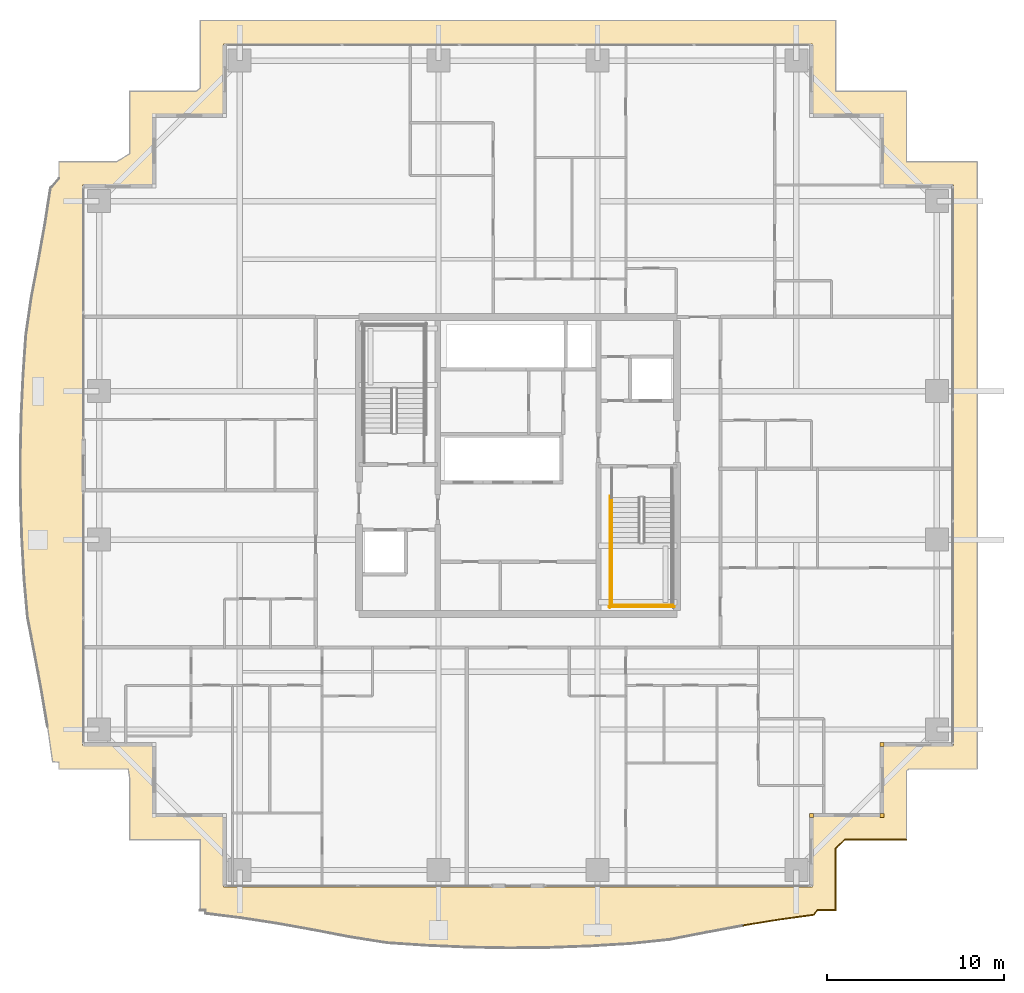
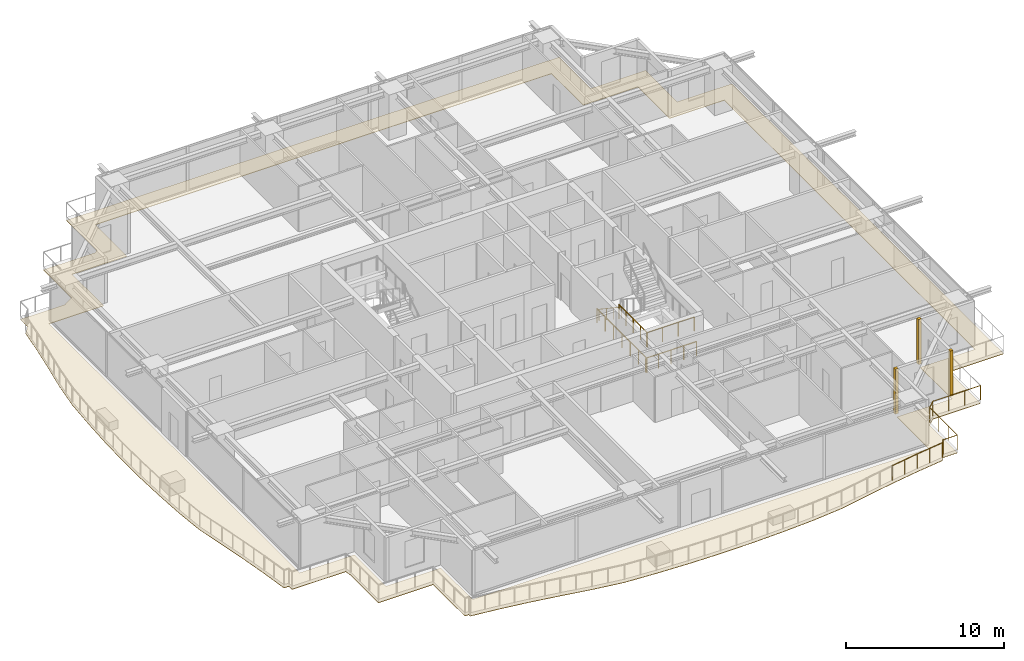
# One storey, part 32 of 34: 6 railings, 4 coverings.
"""IFC4 building model written with IfcOpenShell, lengths in metres."""

from ifc_helpers import new_model, si_unit, direction, frame, origin, origin_2d, place, context, subcontext, project, spatial, polyline, rectangle, circle, outline, extrude, source, transform, mapped, material, layer, layer_set, type_object, element, save


model = new_model("IFC4")

# Units and contexts
model_context = context("Model", 3, precision=1e-05, world=origin(), true_north=direction((0.0, 1.0)))
body_context = subcontext(model_context, "Body", "Model", "MODEL_VIEW")
ifc_project = project(units=[si_unit("LENGTHUNIT", "METRE"), si_unit("AREAUNIT", "SQUARE_METRE"), si_unit("VOLUMEUNIT", "CUBIC_METRE"), si_unit("PLANEANGLEUNIT", "RADIAN"), si_unit("MASSUNIT", "GRAM", prefix="KILO")], contexts=[model_context])

# Site, building, storey
site_placement = place(None, origin())
site = spatial("IfcSite", under=ifc_project, at=site_placement, CompositionType="ELEMENT")
building_placement = place(site_placement, origin())
building = spatial("IfcBuilding", under=site, at=building_placement, Name="Serunith Strait Residences", CompositionType="ELEMENT")
storey_placement = place(building_placement, frame((0.0, 0.0, 142.64990234375)))
storey = spatial("IfcBuildingStorey", under=building, at=storey_placement, Name="L35", CompositionType="ELEMENT", Elevation=142.64990234375)

# Covering
ifc_material_1 = material(Name="Golden Teak Exterior Timber Boarding", Category="wood")
ifc_layer_1 = layer(ifc_material_1, 0.034912109375, Name="Golden Teak Exterior Timber Boarding")
ifc_layer_set_1 = layer_set([ifc_layer_1], Name="Golden Teak Exterior Timber Boarding")
covering_type_1 = type_object("IfcCoveringType", Name="COV-TEAK-SOFFIT", PredefinedType="CEILING", material=ifc_layer_set_1)
covering_placement = place(storey_placement, frame((0.0, 0.0, -0.324951171875)))
element("IfcCovering", 1, at=covering_placement, inside=storey, type_object=covering_type_1, Name="L35 Golden-Teak Balcony Soffit Lining", PredefinedType="CEILING", context=body_context, shape_type="SweptSolid", body=[
    extrude(outline(polyline([(14.419921875, 0.02001953125), (14.419921875, 4.02001953125), (10.419921875, 4.02001953125), (10.419921875, 7.514404296875), (10.343994140625, 8.02001953125), (6.419921875, 8.02001953125), (6.419921875, 8.406494140625), (6.062744140625, 8.427001953125), (5.77734375, 10.427734375), (5.43701171875, 12.44921875), (5.05126953125, 14.5087890625), (4.64501953125, 16.625244140625), (4.44873046875, 18.85595703125), (4.323486328125, 21.12939453125), (4.252197265625, 23.426513671875), (4.2412109375, 25.734130859375), (4.2919921875, 28.03759765625), (4.399169921875, 30.322021484375), (4.552978515625, 32.576904296875), (4.867919921875, 34.75048828125), (5.26806640625, 36.8359375), (5.632080078125, 38.8740234375), (5.944091796875, 40.883544921875), (6.419921875, 41.4404296875), (6.419921875, 42.3798828125), (9.6748046875, 42.3798828125), (10.419921875, 42.8251953125), (10.419921875, 46.3798828125), (14.1982421875, 46.3798828125), (14.419921875, 46.55908203125), (14.419921875, 50.3798828125), (50.3798828125, 50.3798828125), (50.3798828125, 46.3798828125), (54.3798828125, 46.3798828125), (54.3798828125, 42.3798828125), (58.3798828125, 42.3798828125), (58.3798828125, 8.02001953125), (54.51513671875, 8.02001953125), (54.3798828125, 7.921875), (54.3798828125, 4.02001953125), (50.8994140625, 4.02001953125), (50.3798828125, 3.522705078125), (50.3798828125, 0.02001953125), (49.33251953125, 0.02001953125), (49.14599609375, -0.239501953125), (47.146484375, -0.51220703125), (45.129638671875, -0.843017578125), (43.0771484375, -1.224609375), (40.968994140625, -1.634765625), (38.74951171875, -1.866455078125), (36.4765625, -2.002685546875), (34.177001953125, -2.0869140625), (31.864501953125, -2.10986328125), (29.5546875, -2.069580078125), (27.2626953125, -1.969970703125), (25.00146484375, -1.82080078125), (22.834716796875, -1.47802734375), (20.75244140625, -1.076171875), (18.717529296875, -0.713134765625), (16.71044921875, -0.405517578125), (14.715087890625, -0.155517578125), (14.71630859375, 0.02001953125), (14.419921875, 0.02001953125)]), holes=[polyline([(49.054931640625, 1.344970703125), (49.054931640625, 5.344970703125), (53.054931640625, 5.344970703125), (53.054931640625, 9.344970703125), (57.054931640625, 9.344970703125), (57.054931640625, 41.054931640625), (53.054931640625, 41.054931640625), (53.054931640625, 45.054931640625), (49.054931640625, 45.054931640625), (49.054931640625, 49.054931640625), (15.7451171875, 49.054931640625), (15.7451171875, 45.054931640625), (11.7451171875, 45.054931640625), (11.7451171875, 41.054931640625), (7.7451171875, 41.054931640625), (7.7451171875, 9.344970703125), (11.7451171875, 9.344970703125), (11.7451171875, 5.344970703125), (15.7451171875, 5.344970703125), (15.7451171875, 1.344970703125), (49.054931640625, 1.344970703125)])]), origin(), (0.0, 0.0, 1.0), 0.03515625),
])

# Railings
ifc_material_2 = material(Name="Stainless Steel & Laminated Glass Balustrade", Category="steel")
railing_type_1 = type_object("IfcRailingType", Name="RLG-BALC-1150", PredefinedType="BALUSTRADE", material=ifc_material_2)
railing_1_placement = place(storey_placement, frame((54.3798828125, 4.02001953125, -0.0498046875)))
element("IfcRailing", 2, at=railing_1_placement, inside=storey, type_object=railing_type_1, Name="L35 Swirling Balcony Perimeter Balustrade 6", PredefinedType="BALUSTRADE", context=body_context, shape_type="SweptSolid", body=[
    extrude(circle(Radius=0.02392578125, at=origin_2d()), frame((-0.001953125, 0.0, 1.1259765625), z_axis=(-1.0, 0.0, 0.0), x_axis=(0.0, -1.0, 0.0)), (0.0, 0.0, 1.0), 3.4765625),
    extrude(circle(Radius=0.02392578125, at=origin_2d()), frame((-3.48193359375, -0.00146484375, 1.1259765625), z_axis=(-0.722383772379, -0.69149236106, 0.0), x_axis=(0.69149236106, -0.722383772379, 0.0)), (0.0, 0.0, 1.0), 0.715087890625),
    extrude(circle(Radius=0.02392578125, at=origin_2d()), frame((-4.0, -0.499267578125, 1.1259765625), z_axis=(0.0, -1.0, 0.0), x_axis=(1.0, 0.0, 0.0)), (0.0, 0.0, 1.0), 3.498779296875),
    extrude(circle(Radius=0.02392578125, at=origin_2d()), frame((-4.001953125, -4.0, 1.1259765625), z_axis=(-1.0, 0.0, 0.0), x_axis=(0.0, -1.0, 0.0)), (0.0, 0.0, 1.0), 1.04345703125),
    extrude(circle(Radius=0.02392578125, at=origin_2d()), frame((-5.048583984375, -4.001708984375, 1.1259765625), z_axis=(-0.58362030765, -0.812026684597, 0.0), x_axis=(0.812026684597, -0.58362030765, 0.0)), (0.0, 0.0, 1.0), 0.315673828125),
    extrude(circle(Radius=0.02392578125, at=origin_2d()), frame((-5.23583984375, -4.259765625, 1.1259765625), z_axis=(-0.990827223059, -0.135134799531, 0.0), x_axis=(0.135134799531, -0.990827223059, 0.0)), (0.0, 0.0, 1.0), 2.013916015625),
    extrude(circle(Radius=0.02392578125, at=origin_2d()), frame((-7.2353515625, -4.532470703125, 1.1259765625), z_axis=(-0.986813593192, -0.161860842365, 0.0), x_axis=(0.161860842365, -0.986813593192, 0.0)), (0.0, 0.0, 1.0), 2.039794921875),
    extrude(circle(Radius=0.02099609375, at=origin_2d()), origin(), (0.0, 0.0, 1.0), 1.099853515625),
    extrude(circle(Radius=0.02099609375, at=origin_2d()), frame((-1.16015625, 0.0, 0.0)), (0.0, 0.0, 1.0), 1.099853515625),
    extrude(circle(Radius=0.02099609375, at=origin_2d()), frame((-2.3203125, 0.0, 0.0)), (0.0, 0.0, 1.0), 1.099853515625),
    extrude(circle(Radius=0.02099609375, at=origin_2d()), frame((-3.48046875, 0.0, 0.0)), (0.0, 0.0, 1.0), 1.099853515625),
    extrude(circle(Radius=0.02099609375, at=origin_2d()), frame((-4.0, -0.497314453125, 0.0)), (0.0, 0.0, 1.0), 1.099853515625),
    extrude(circle(Radius=0.02099609375, at=origin_2d()), frame((-4.0, -1.664794921875, 0.0)), (0.0, 0.0, 1.0), 1.099853515625),
    extrude(circle(Radius=0.02099609375, at=origin_2d()), frame((-4.0, -2.83251953125, 0.0)), (0.0, 0.0, 1.0), 1.099853515625),
    extrude(circle(Radius=0.02099609375, at=origin_2d()), frame((-4.0, -4.0, 0.0)), (0.0, 0.0, 1.0), 1.099853515625),
    extrude(circle(Radius=0.02099609375, at=origin_2d()), frame((-5.04736328125, -4.0, 0.0)), (0.0, 0.0, 1.0), 1.099853515625),
    extrude(circle(Radius=0.02099609375, at=origin_2d()), frame((-5.23388671875, -4.259521484375, 0.0)), (0.0, 0.0, 1.0), 1.099853515625),
    extrude(circle(Radius=0.02099609375, at=origin_2d()), frame((-6.233642578125, -4.39599609375, 0.0)), (0.0, 0.0, 1.0), 1.099853515625),
    extrude(circle(Radius=0.02099609375, at=origin_2d()), frame((-7.2333984375, -4.5322265625, 0.0)), (0.0, 0.0, 1.0), 1.099853515625),
    extrude(circle(Radius=0.02099609375, at=origin_2d()), frame((-8.24169921875, -4.69775390625, 0.0)), (0.0, 0.0, 1.0), 1.099853515625),
    extrude(circle(Radius=0.02099609375, at=origin_2d()), frame((-9.250244140625, -4.863037109375, 0.0)), (0.0, 0.0, 1.0), 1.099853515625),
])
ifc_material_3 = material(Name="Brushed stainless steel 316L", Category="steel")
railing_type_2 = type_object("IfcRailingType", Name="RLG-STAIR-GUARD", PredefinedType="BALUSTRADE", material=ifc_material_3)
railing_2_placement = place(storey_placement, frame((37.699951171875, 20.85009765625, 1.875)))
element("IfcRailing", 3, at=railing_2_placement, inside=storey, type_object=railing_type_2, Name="L35 ST-2 stair guard 3", PredefinedType="BALUSTRADE", context=body_context, shape_type="SweptSolid", body=[
    extrude(circle(Radius=0.02392578125, at=origin_2d()), frame((0.0, -0.001953125, 1.076171875), z_axis=(0.0, -1.0, 0.0), x_axis=(1.0, 0.0, 0.0)), (0.0, 0.0, 1.0), 3.59619140625),
    extrude(circle(Radius=0.02099609375, at=origin_2d()), origin(), (0.0, 0.0, 1.0), 1.050048828125),
    extrude(circle(Radius=0.02099609375, at=origin_2d()), frame((0.0, -0.89990234375, 0.0)), (0.0, 0.0, 1.0), 1.050048828125),
    extrude(circle(Radius=0.02099609375, at=origin_2d()), frame((0.0, -1.800048828125, 0.0)), (0.0, 0.0, 1.0), 1.050048828125),
    extrude(circle(Radius=0.02099609375, at=origin_2d()), frame((0.0, -2.7001953125, 0.0)), (0.0, 0.0, 1.0), 1.050048828125),
    extrude(circle(Radius=0.02099609375, at=origin_2d()), frame((0.0, -3.60009765625, 0.0)), (0.0, 0.0, 1.0), 1.050048828125),
])
railing_3_placement = place(storey_placement, frame((37.64990234375, 17.300048828125, 1.875)))
element("IfcRailing", 4, at=railing_3_placement, inside=storey, type_object=railing_type_2, Name="L35 ST-2 stair guard 5", PredefinedType="BALUSTRADE", context=body_context, shape_type="SweptSolid", body=[
    extrude(circle(Radius=0.02392578125, at=origin_2d()), frame((0.001953125, 0.0, 1.076171875), z_axis=(1.0, 0.0, 0.0), x_axis=(0.0, 1.0, 0.0)), (0.0, 0.0, 1.0), 3.49609375),
    extrude(circle(Radius=0.02099609375, at=origin_2d()), origin(), (0.0, 0.0, 1.0), 1.050048828125),
    extrude(circle(Radius=0.02099609375, at=origin_2d()), frame((1.166748046875, 0.0, 0.0)), (0.0, 0.0, 1.0), 1.050048828125),
    extrude(circle(Radius=0.02099609375, at=origin_2d()), frame((2.333251953125, 0.0, 0.0)), (0.0, 0.0, 1.0), 1.050048828125),
    extrude(circle(Radius=0.02099609375, at=origin_2d()), frame((3.5, 0.0, 0.0)), (0.0, 0.0, 1.0), 1.050048828125),
])
railing_4_placement = place(storey_placement, frame((37.60009765625, 23.469970703125, 0.0)))
element("IfcRailing", 5, at=railing_4_placement, inside=storey, type_object=railing_type_2, Name="L35 ST-2 stair guard 10", PredefinedType="BALUSTRADE", context=body_context, shape_type="SweptSolid", body=[
    extrude(circle(Radius=0.02392578125, at=origin_2d()), frame((0.0, -0.001953125, 1.076171875), z_axis=(0.0, -1.0, 0.0), x_axis=(1.0, 0.0, 0.0)), (0.0, 0.0, 1.0), 6.316162109375),
    extrude(circle(Radius=0.02099609375, at=origin_2d()), origin(), (0.0, 0.0, 1.0), 1.050048828125),
    extrude(circle(Radius=0.02099609375, at=origin_2d()), frame((0.0, -1.05322265625, 0.0)), (0.0, 0.0, 1.0), 1.050048828125),
    extrude(circle(Radius=0.02099609375, at=origin_2d()), frame((0.0, -2.106689453125, 0.0)), (0.0, 0.0, 1.0), 1.050048828125),
    extrude(circle(Radius=0.02099609375, at=origin_2d()), frame((0.0, -3.16015625, 0.0)), (0.0, 0.0, 1.0), 1.050048828125),
    extrude(circle(Radius=0.02099609375, at=origin_2d()), frame((0.0, -4.21337890625, 0.0)), (0.0, 0.0, 1.0), 1.050048828125),
    extrude(circle(Radius=0.02099609375, at=origin_2d()), frame((0.0, -5.2666015625, 0.0)), (0.0, 0.0, 1.0), 1.050048828125),
    extrude(circle(Radius=0.02099609375, at=origin_2d()), frame((0.0, -6.320068359375, 0.0)), (0.0, 0.0, 1.0), 1.050048828125),
])
railing_5_placement = place(storey_placement, frame((37.550048828125, 17.199951171875, 0.0)))
element("IfcRailing", 6, at=railing_5_placement, inside=storey, type_object=railing_type_2, Name="L35 ST-2 stair guard 12", PredefinedType="BALUSTRADE", context=body_context, shape_type="SweptSolid", body=[
    extrude(circle(Radius=0.02392578125, at=origin_2d()), frame((0.001953125, 0.0, 1.076171875), z_axis=(1.0, 0.0, 0.0), x_axis=(0.0, 1.0, 0.0)), (0.0, 0.0, 1.0), 3.696044921875),
    extrude(circle(Radius=0.02099609375, at=origin_2d()), origin(), (0.0, 0.0, 1.0), 1.050048828125),
    extrude(circle(Radius=0.02099609375, at=origin_2d()), frame((0.925048828125, 0.0, 0.0)), (0.0, 0.0, 1.0), 1.050048828125),
    extrude(circle(Radius=0.02099609375, at=origin_2d()), frame((1.85009765625, 0.0, 0.0)), (0.0, 0.0, 1.0), 1.050048828125),
    extrude(circle(Radius=0.02099609375, at=origin_2d()), frame((2.77490234375, 0.0, 0.0)), (0.0, 0.0, 1.0), 1.050048828125),
    extrude(circle(Radius=0.02099609375, at=origin_2d()), frame((3.699951171875, 0.0, 0.0)), (0.0, 0.0, 1.0), 1.050048828125),
])
railing_type_3 = type_object("IfcRailingType", Name="RLG-STAIR-HR", PredefinedType="HANDRAIL", material=ifc_material_3)
railing_6_placement = place(storey_placement, frame((37.699951171875, 23.3701171875, 0.1875)))
element("IfcRailing", 7, at=railing_6_placement, inside=storey, type_object=railing_type_3, Name="L35 ST-2 stair handrail 1", PredefinedType="HANDRAIL", context=body_context, shape_type="SweptSolid", body=[
    extrude(circle(Radius=0.02392578125, at=origin_2d()), frame((0.0, -0.001708984375, 0.876953125), z_axis=(0.0, -0.830208209119, 0.557453432594), x_axis=(1.0, 0.0, 0.0)), (0.0, 0.0, 1.0), 3.36865234375),
    extrude(circle(Radius=0.02099609375, at=origin_2d()), origin(), (0.0, 0.0, 1.0), 0.849853515625),
    extrude(circle(Radius=0.02099609375, at=origin_2d()), frame((0.0, -0.933349609375, 0.626708984375)), (0.0, 0.0, 1.0), 0.849853515625),
    extrude(circle(Radius=0.02099609375, at=origin_2d()), frame((0.0, -1.86669921875, 1.25341796875)), (0.0, 0.0, 1.0), 0.849853515625),
    extrude(circle(Radius=0.02099609375, at=origin_2d()), frame((0.0, -2.800048828125, 1.880126953125)), (0.0, 0.0, 1.0), 0.849853515625),
])

# Coverings
ifc_material_4 = material(Name="Pale-Champagne Anodised Aluminium", Category="aluminium")
ifc_layer_2 = layer(ifc_material_4, 0.219970703125, Name="Pale-Champagne Anodised Aluminium")
ifc_layer_set_2 = layer_set([ifc_layer_2], Name="Pale-Champagne Anodised Aluminium")
covering_type_2 = type_object("IfcCoveringType", Name="COV-CORN-TRIM", PredefinedType="CLADDING", material=ifc_layer_set_2)
shared_shape = source(origin(), body_context, "Body", "SweptSolid", [
    extrude(rectangle(XDim=0.221923828125, YDim=0.221923828125, at=origin_2d()), origin(), (0.0, 0.0, 1.0), 3.47509765625),
])
for number, where, z_axis, x_axis, name in (
    (8, (49.0, 5.39990234375, 0.0), (0.0, 0.0, 1.0), (1.0, 0.0, 0.0), "L35 Girih Serrated Corner Trim Post 02"),
    (9, (53.0, 5.39990234375, 0.0), (0.0, 0.0, 1.0), (1.0, 0.0, 0.0), "L35 Girih Serrated Corner Trim Post 03"),
    (10, (53.0, 9.39990234375, 0.0), (0.0, 0.0, 1.0), (1.0, 0.0, 0.0), "L35 Girih Serrated Corner Trim Post 04"),
):
    element("IfcCovering", number, at=place(storey_placement, frame(where, z_axis=z_axis, x_axis=x_axis)), inside=storey, type_object=covering_type_2, Name=name, PredefinedType="CLADDING", context=body_context, shape_type="MappedRepresentation", body=[
        mapped(shared_shape, transform((0.0, 0.0, 0.0), scale=1.0)),
    ])

save(model, "model.ifc")
